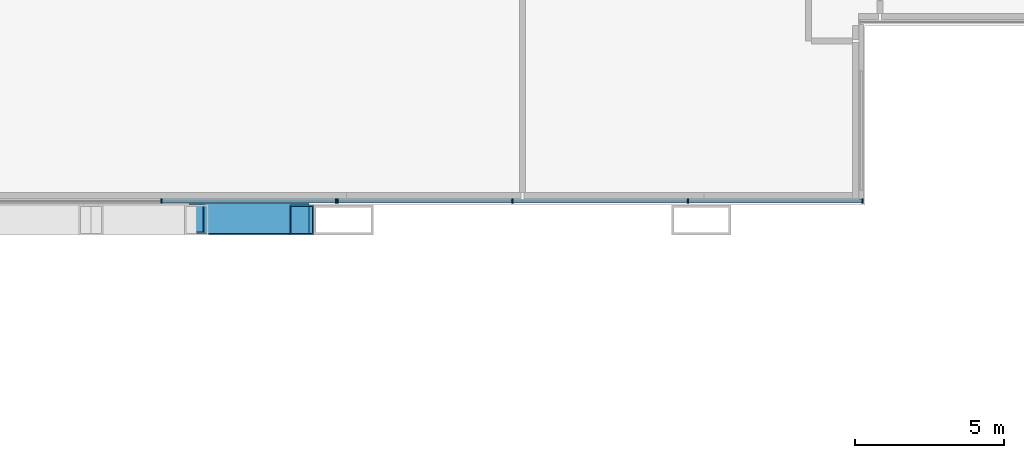
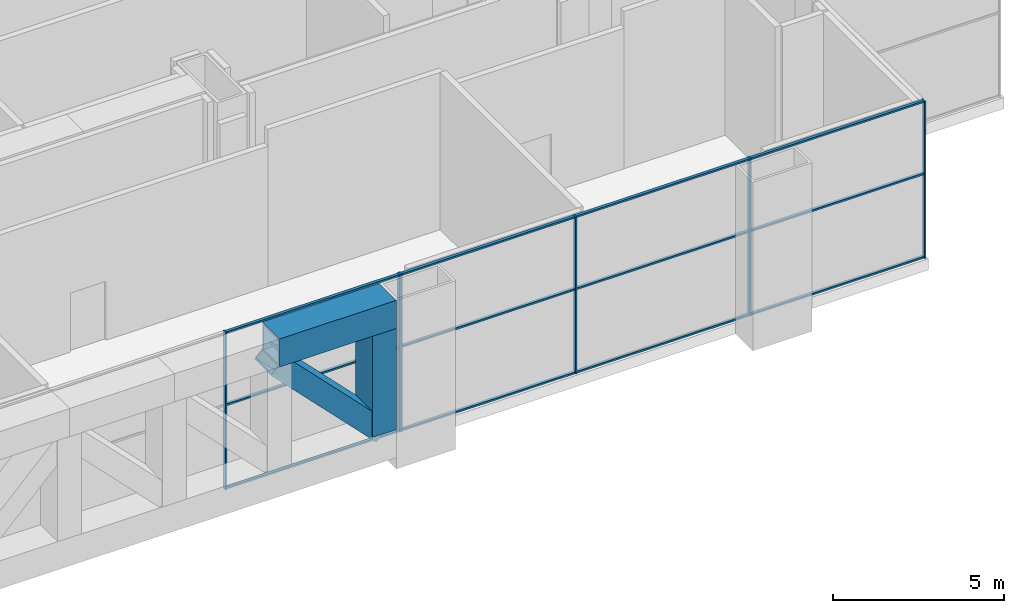
# One storey, part 9 of 27: 20 members, 1 beam, 2 elements without a shape of their own.
"""IFC4 building model written with IfcOpenShell, lengths in metres."""

import ifcopenshell
import ifcopenshell.guid

model = None  # the IFC model being written
_history = None  # IfcOwnerHistory: only IFC2X3 demands one
_inside = {}  # id of a spatial element -> (the spatial element, [elements in it])
_under = {}  # id of a project, library or spatial element -> (it, [spatial elements below it])
_declared = {}  # id of a project -> (the project, [libraries it declares])
_typed = {}  # id of a type object -> (the type object, [elements of that type])
_made_of = {}  # id of a material, layer set ... -> (it, [elements and type objects made of it])


def new_model(schema):
    """Start an empty IFC model of exactly this schema.

    Asked for "IFC4X3", IfcOpenShell would pick the latest addendum, in which some entities
    have other attributes; the version numbers below select the first issue.
    IFC2X3 requires an IfcOwnerHistory on every rooted entity: one is made here for all.
    """
    global model, _history
    if schema == "IFC4X3":
        model = ifcopenshell.file(schema_version=(4, 3, 0, 0))
    else:
        model = ifcopenshell.file(schema=schema)
    _inside.clear()
    _under.clear()
    _declared.clear()
    _typed.clear()
    _made_of.clear()
    _history = None
    if model.schema == "IFC2X3":
        org = make("IfcOrganization", Name="unknown")
        user = make(
            "IfcPersonAndOrganization",
            ThePerson=make("IfcPerson", FamilyName="unknown"),
            TheOrganization=org,
        )
        app = make(
            "IfcApplication",
            ApplicationDeveloper=org,
            Version="unknown",
            ApplicationFullName="unknown",
            ApplicationIdentifier="unknown",
        )
        _history = make(
            "IfcOwnerHistory",
            OwningUser=user,
            OwningApplication=app,
            ChangeAction="ADDED",
            CreationDate=0,
        )
    return model


def make(cls, **values):
    """One entity of the class cls with the attributes given. An attribute that is None is left unset."""
    return model.create_entity(
        cls, **{name: value for name, value in values.items() if value is not None}
    )


def rooted(cls, **values):
    """An entity with a GlobalId (a new one), such as an element, a storey or a relation."""
    return make(cls, GlobalId=ifcopenshell.guid.new(), OwnerHistory=_history, **values)


def si_unit(unit_type, name, prefix=None):
    """IfcSIUnit, for example si_unit("LENGTHUNIT", "METRE", prefix="MILLI")."""
    return make("IfcSIUnit", UnitType=unit_type, Prefix=prefix, Name=name)


def assignment(units):
    """IfcUnitAssignment: the units of a project."""
    return None if units is None else make("IfcUnitAssignment", Units=units)


def point(xyz):
    """IfcCartesianPoint."""
    return None if xyz is None else make("IfcCartesianPoint", Coordinates=xyz)


def direction(xyz):
    """IfcDirection."""
    return None if xyz is None else make("IfcDirection", DirectionRatios=xyz)


def frame(location, z_axis=None, x_axis=None):
    """IfcAxis2Placement3D, a coordinate frame: its origin and axes. An axis left out is left unset."""
    return make(
        "IfcAxis2Placement3D",
        Location=point(location),
        Axis=direction(z_axis),
        RefDirection=direction(x_axis),
    )


def frame_2d(location, x_axis=None):
    """IfcAxis2Placement2D, a coordinate frame in the plane: its origin and x axis."""
    return make(
        "IfcAxis2Placement2D", Location=point(location), RefDirection=direction(x_axis)
    )


def origin():
    """The frame at (0, 0, 0) with its axes left unset."""
    return frame((0.0, 0.0, 0.0))


def origin_2d():
    """The frame at (0, 0) in the plane with its x axis left unset."""
    return frame_2d((0.0, 0.0))


def place(relative_to, where):
    """IfcLocalPlacement: puts the frame where relative to a parent placement (None: the world)."""
    return make(
        "IfcLocalPlacement", PlacementRelTo=relative_to, RelativePlacement=where
    )


def context(
    kind, dimensions, precision=None, world=None, true_north=None, identifier=None
):
    """IfcGeometricRepresentationContext, for example the 3D "Model" context."""
    return make(
        "IfcGeometricRepresentationContext",
        ContextIdentifier=identifier,
        ContextType=kind,
        CoordinateSpaceDimension=dimensions,
        Precision=precision,
        WorldCoordinateSystem=world,
        TrueNorth=true_north,
    )


def subcontext(parent, identifier, kind, view, scale=None):
    """IfcGeometricRepresentationSubContext, for example "Body" below "Model"."""
    return make(
        "IfcGeometricRepresentationSubContext",
        ContextIdentifier=identifier,
        ContextType=kind,
        ParentContext=parent,
        TargetScale=scale,
        TargetView=view,
    )


def project(units=None, contexts=None):
    """IfcProject with its units and contexts."""
    return rooted(
        "IfcProject",
        Name="project",
        RepresentationContexts=contexts,
        UnitsInContext=assignment(units),
    )


def spatial(cls, under=None, at=None, **own):
    """A site, building, storey or space (cls), placed at a placement, below another one or the project."""
    s = rooted(cls, ObjectPlacement=at, **own)
    if under is not None:
        _under.setdefault(under.id(), (under, []))[1].append(s)
    return s


def profile(cls, at=None, kind="AREA", **sizes):
    """A parametric profile (cls). Its sizes go by their IFC names, for example OverallWidth=200.0."""
    return make(cls, ProfileType=kind, Position=at, **sizes)


def rectangle(**sizes):
    """IfcRectangleProfileDef."""
    return profile("IfcRectangleProfileDef", **sizes)


def hollow_rectangle(**sizes):
    """IfcRectangleHollowProfileDef."""
    return profile("IfcRectangleHollowProfileDef", **sizes)


def extrude(swept, where, along, depth):
    """IfcExtrudedAreaSolid: the profile swept, set in the frame where, extruded along a direction by depth."""
    return make(
        "IfcExtrudedAreaSolid",
        SweptArea=swept,
        Position=where,
        ExtrudedDirection=direction(along),
        Depth=depth,
    )


def shape(context_of_items, identifier, shape_type, items):
    """IfcShapeRepresentation: the items that make up one representation, for example the "Body"."""
    return make(
        "IfcShapeRepresentation",
        ContextOfItems=context_of_items,
        RepresentationIdentifier=identifier,
        RepresentationType=shape_type,
        Items=items,
    )


def material(Name=None, Category=None):
    """IfcMaterial."""
    return make("IfcMaterial", Name=Name, Category=Category)


def material_profile(
    of_material, cross_section, Name=None, Category=None, Priority=None
):
    """IfcMaterialProfile: a cross section and its material."""
    return make(
        "IfcMaterialProfile",
        Name=Name,
        Material=of_material,
        Profile=cross_section,
        Priority=Priority,
        Category=Category,
    )


def profile_set(profiles, Name=None, composite=None):
    """IfcMaterialProfileSet."""
    return make(
        "IfcMaterialProfileSet",
        Name=Name,
        MaterialProfiles=profiles,
        CompositeProfile=composite,
    )


def made_of(thing, what):
    """Note that an element or type object is made of a material, layer set ...; save() writes the relation."""
    if what is not None:
        _made_of.setdefault(what.id(), (what, []))[1].append(thing)
    return thing


def type_object(cls, material=None, **own):
    """A type object (cls), such as IfcWallType, which elements share."""
    return made_of(rooted(cls, **own), material)


def element(
    cls,
    number,
    at=None,
    inside=None,
    cuts=None,
    type_object=None,
    material=None,
    context=None,
    identifier="Body",
    shape_type=None,
    held_by="IfcProductDefinitionShape",
    body=None,
    shapes=None,
    **own,
):
    """One element of the class cls, such as IfcWall. Its Tag is "e" and its number.

    at: its placement. inside: the storey or other place that contains it. cuts: it is an
    opening in that element (IfcRelVoidsElement). A single representation is given by context,
    identifier, shape_type and body (its items); several are given by shapes. held_by: the class
    of the entity that holds the representations. save() writes the other relations.
    """
    e = rooted(cls, Tag="e%d" % number, ObjectPlacement=at, **own)
    if body is not None:
        shapes = [shape(context, identifier, shape_type, body)]
    if shapes is not None:
        e.Representation = make(held_by, Representations=shapes)
    if inside is not None:
        _inside.setdefault(inside.id(), (inside, []))[1].append(e)
    if cuts is not None:
        rooted(
            "IfcRelVoidsElement", RelatingBuildingElement=cuts, RelatedOpeningElement=e
        )
    if type_object is not None:
        _typed.setdefault(type_object.id(), (type_object, []))[1].append(e)
    return made_of(e, material)


def aggregate(whole, parts):
    """IfcRelAggregates: a whole, such as a stair, and the parts it consists of."""
    return rooted("IfcRelAggregates", RelatingObject=whole, RelatedObjects=parts)


def save(model, path):
    """Write the relations noted so far, then the file.

    IfcRelAggregates (storeys below a building ...), IfcRelContainedInSpatialStructure (elements
    in a storey), IfcRelDefinesByType, IfcRelAssociatesMaterial and IfcRelDeclares: one each for
    every whole, place, type object, material and project.
    """
    for whole, parts in _under.values():
        aggregate(whole, parts)
    for where, things in _inside.values():
        rooted(
            "IfcRelContainedInSpatialStructure",
            RelatedElements=things,
            RelatingStructure=where,
        )
    for kind, things in _typed.values():
        rooted("IfcRelDefinesByType", RelatedObjects=things, RelatingType=kind)
    for what, things in _made_of.values():
        rooted("IfcRelAssociatesMaterial", RelatedObjects=things, RelatingMaterial=what)
    for by, libraries in _declared.values():
        rooted("IfcRelDeclares", RelatingContext=by, RelatedDefinitions=libraries)
    model.write(path)


model = new_model("IFC4")

# Units and contexts
model_context = context("Model", 3, precision=1e-05, world=origin(), true_north=direction((0.0, 1.0)))
body_context = subcontext(model_context, "Body", "Model", "MODEL_VIEW")
ifc_project = project(units=[si_unit("LENGTHUNIT", "METRE"), si_unit("AREAUNIT", "SQUARE_METRE"), si_unit("VOLUMEUNIT", "CUBIC_METRE"), si_unit("PLANEANGLEUNIT", "RADIAN"), si_unit("MASSUNIT", "GRAM", prefix="KILO")], contexts=[model_context])

# Site, building, storey
site_placement = place(None, origin())
site = spatial("IfcSite", under=ifc_project, at=site_placement, CompositionType="ELEMENT")
building_placement = place(site_placement, origin())
building = spatial("IfcBuilding", under=site, at=building_placement, Name="Kitamizu Gate Tower and Museum", CompositionType="ELEMENT")
storey_placement = place(building_placement, frame((0.0, 0.0, 24.0)))
storey = spatial("IfcBuildingStorey", under=building, at=storey_placement, Name="L04", CompositionType="ELEMENT", Elevation=24.0)

# Curtain wall, members
ifc_material_1 = material(Name="Bronze anodised aluminium frame, insulated panels", Category="aluminium")
curtain_wall_type_1 = type_object("IfcCurtainWallType", Name="CURTAIN WALL TYPE F TRANSFER STOREY INSULATED", PredefinedType="NOTDEFINED", material=ifc_material_1)
curtain_wall_1_placement = place(storey_placement, origin())
curtain_wall_1 = element("IfcCurtainWall", 1, at=curtain_wall_1_placement, inside=storey, type_object=curtain_wall_type_1, Name="Curtain wall CW-FI south L04 part 2", PredefinedType="NOTDEFINED")
ifc_material_2 = material(Name="Bronze anodised aluminium", Category="aluminium")
ifc_material_profile_1 = material_profile(ifc_material_2, rectangle(XDim=0.050048828125, YDim=0.14990234375, at=origin_2d()), Name="AL 50X150")
ifc_profile_set_1 = profile_set([ifc_material_profile_1], Name="Bronze anodised aluminium")
member_type_1 = type_object("IfcMemberType", Name="MULLION 50 X 150 TYPE F", PredefinedType="MULLION", material=ifc_profile_set_1)
member_1_placement = place(storey_placement, frame((41.887939453125, 0.635009765625, 0.0), z_axis=(0.0, 0.0, 1.0), x_axis=(1.0, 0.0, 0.0)))
member_1 = element("IfcMember", 2, at=member_1_placement, type_object=member_type_1, Name="CW-FI mullion 4", PredefinedType="MULLION", context=body_context, shape_type="SweptSolid", body=[
    extrude(rectangle(XDim=0.050048828125, YDim=0.14990234375, at=origin_2d()), origin(), (0.0, 0.0, 1.0), 5.60009765625),
])
member_2_placement = place(storey_placement, frame((47.7509765625, 0.635009765625, 0.0), z_axis=(0.0, 0.0, 1.0), x_axis=(1.0, 0.0, 0.0)))
member_2 = element("IfcMember", 3, at=member_2_placement, type_object=member_type_1, Name="CW-FI mullion 5", PredefinedType="MULLION", context=body_context, shape_type="SweptSolid", body=[
    extrude(rectangle(XDim=0.050048828125, YDim=0.14990234375, at=origin_2d()), origin(), (0.0, 0.0, 1.0), 5.60009765625),
])

ifc_material_3 = material(Name="Bronze anodised aluminium frame, tinted triple glazing", Category="aluminium")
curtain_wall_type_2 = type_object("IfcCurtainWallType", Name="CURTAIN WALL TYPE F TRANSFER STOREY", PredefinedType="NOTDEFINED", material=ifc_material_3)
curtain_wall_2_placement = place(storey_placement, origin())
curtain_wall_2 = element("IfcCurtainWall", 4, at=curtain_wall_2_placement, inside=storey, type_object=curtain_wall_type_2, Name="Curtain wall CW-F south L04 part 3", PredefinedType="NOTDEFINED")
member_3_placement = place(storey_placement, frame((47.801025390625, 0.635009765625, 0.0), z_axis=(0.0, 0.0, 1.0), x_axis=(1.0, 0.0, 0.0)))
member_3 = element("IfcMember", 5, at=member_3_placement, type_object=member_type_1, Name="CW-F mullion 1", PredefinedType="MULLION", context=body_context, shape_type="SweptSolid", body=[
    extrude(rectangle(XDim=0.050048828125, YDim=0.14990234375, at=origin_2d()), origin(), (0.0, 0.0, 1.0), 5.60009765625),
])
member_4_placement = place(storey_placement, frame((53.6640625, 0.635009765625, 0.0), z_axis=(0.0, 0.0, 1.0), x_axis=(1.0, 0.0, 0.0)))
member_4 = element("IfcMember", 6, at=member_4_placement, type_object=member_type_1, Name="CW-F mullion 2", PredefinedType="MULLION", context=body_context, shape_type="SweptSolid", body=[
    extrude(rectangle(XDim=0.050048828125, YDim=0.14990234375, at=origin_2d()), origin(), (0.0, 0.0, 1.0), 5.60009765625),
])
member_5_placement = place(storey_placement, frame((59.552001953125, 0.635009765625, 0.0), z_axis=(0.0, 0.0, 1.0), x_axis=(1.0, 0.0, 0.0)))
member_5 = element("IfcMember", 7, at=member_5_placement, type_object=member_type_1, Name="CW-F mullion 3", PredefinedType="MULLION", context=body_context, shape_type="SweptSolid", body=[
    extrude(rectangle(XDim=0.050048828125, YDim=0.14990234375, at=origin_2d()), origin(), (0.0, 0.0, 1.0), 5.60009765625),
])
member_6_placement = place(storey_placement, frame((65.4150390625, 0.635009765625, 0.0), z_axis=(0.0, 0.0, 1.0), x_axis=(1.0, 0.0, 0.0)))
member_6 = element("IfcMember", 8, at=member_6_placement, type_object=member_type_1, Name="CW-F mullion 4", PredefinedType="MULLION", context=body_context, shape_type="SweptSolid", body=[
    extrude(rectangle(XDim=0.050048828125, YDim=0.14990234375, at=origin_2d()), origin(), (0.0, 0.0, 1.0), 5.60009765625),
])

# Member
ifc_material_4 = material(Name="Bronze anodised aluminium", Category="aluminium")
ifc_material_profile_2 = material_profile(ifc_material_4, rectangle(XDim=0.10009765625, YDim=0.06005859375, at=origin_2d()), Name="AL 60X100")
ifc_profile_set_2 = profile_set([ifc_material_profile_2], Name="Bronze anodised aluminium")
member_type_2 = type_object("IfcMemberType", Name="TRANSOM 60 X 100 TYPE F", PredefinedType="USERDEFINED", material=ifc_profile_set_2)
member_7_placement = place(storey_placement, frame((41.9130859375, 0.635009765625, 0.030029296875), z_axis=(1.0, 0.0, 0.0), x_axis=(0.0, 1.0, 0.0)))
member_7 = element("IfcMember", 9, at=member_7_placement, type_object=member_type_2, Name="CW-FI transom 4.1", ObjectType="TRANSOM", PredefinedType="USERDEFINED", context=body_context, shape_type="SweptSolid", body=[
    extrude(rectangle(XDim=0.10009765625, YDim=0.06005859375, at=origin_2d()), origin(), (0.0, 0.0, 1.0), 5.81298828125),
])

member_8_placement = place(storey_placement, frame((41.9130859375, 0.635009765625, 3.0), z_axis=(1.0, 0.0, 0.0), x_axis=(0.0, 1.0, 0.0)))
member_8 = element("IfcMember", 10, at=member_8_placement, type_object=member_type_2, Name="CW-FI transom 4.2", ObjectType="TRANSOM", PredefinedType="USERDEFINED", context=body_context, shape_type="SweptSolid", body=[
    extrude(rectangle(XDim=0.10009765625, YDim=0.06005859375, at=origin_2d()), origin(), (0.0, 0.0, 1.0), 5.81298828125),
])

member_9_placement = place(storey_placement, frame((41.9130859375, 0.635009765625, 5.570068359375), z_axis=(1.0, 0.0, 0.0), x_axis=(0.0, 1.0, 0.0)))
member_9 = element("IfcMember", 11, at=member_9_placement, type_object=member_type_2, Name="CW-FI transom 4.3", ObjectType="TRANSOM", PredefinedType="USERDEFINED", context=body_context, shape_type="SweptSolid", body=[
    extrude(rectangle(XDim=0.10009765625, YDim=0.06005859375, at=origin_2d()), origin(), (0.0, 0.0, 1.0), 5.81298828125),
])

aggregate(curtain_wall_1, [member_1, member_2, member_7, member_8, member_9])

member_10_placement = place(storey_placement, frame((47.825927734375, 0.635009765625, 0.030029296875), z_axis=(1.0, 0.0, 0.0), x_axis=(0.0, 1.0, 0.0)))
member_10 = element("IfcMember", 12, at=member_10_placement, type_object=member_type_2, Name="CW-F transom 1.1", ObjectType="TRANSOM", PredefinedType="USERDEFINED", context=body_context, shape_type="SweptSolid", body=[
    extrude(rectangle(XDim=0.10009765625, YDim=0.06005859375, at=origin_2d()), origin(), (0.0, 0.0, 1.0), 5.81298828125),
])

member_11_placement = place(storey_placement, frame((47.825927734375, 0.635009765625, 3.0), z_axis=(1.0, 0.0, 0.0), x_axis=(0.0, 1.0, 0.0)))
member_11 = element("IfcMember", 13, at=member_11_placement, type_object=member_type_2, Name="CW-F transom 1.2", ObjectType="TRANSOM", PredefinedType="USERDEFINED", context=body_context, shape_type="SweptSolid", body=[
    extrude(rectangle(XDim=0.10009765625, YDim=0.06005859375, at=origin_2d()), origin(), (0.0, 0.0, 1.0), 5.81298828125),
])

member_12_placement = place(storey_placement, frame((47.825927734375, 0.635009765625, 5.570068359375), z_axis=(1.0, 0.0, 0.0), x_axis=(0.0, 1.0, 0.0)))
member_12 = element("IfcMember", 14, at=member_12_placement, type_object=member_type_2, Name="CW-F transom 1.3", ObjectType="TRANSOM", PredefinedType="USERDEFINED", context=body_context, shape_type="SweptSolid", body=[
    extrude(rectangle(XDim=0.10009765625, YDim=0.06005859375, at=origin_2d()), origin(), (0.0, 0.0, 1.0), 5.81298828125),
])

member_13_placement = place(storey_placement, frame((53.68896484375, 0.635009765625, 0.030029296875), z_axis=(1.0, 0.0, 0.0), x_axis=(0.0, 1.0, 0.0)))
member_13 = element("IfcMember", 15, at=member_13_placement, type_object=member_type_2, Name="CW-F transom 2.1", ObjectType="TRANSOM", PredefinedType="USERDEFINED", context=body_context, shape_type="SweptSolid", body=[
    extrude(rectangle(XDim=0.10009765625, YDim=0.06005859375, at=origin_2d()), origin(), (0.0, 0.0, 1.0), 5.838134765625),
])

member_14_placement = place(storey_placement, frame((53.68896484375, 0.635009765625, 3.0), z_axis=(1.0, 0.0, 0.0), x_axis=(0.0, 1.0, 0.0)))
member_14 = element("IfcMember", 16, at=member_14_placement, type_object=member_type_2, Name="CW-F transom 2.2", ObjectType="TRANSOM", PredefinedType="USERDEFINED", context=body_context, shape_type="SweptSolid", body=[
    extrude(rectangle(XDim=0.10009765625, YDim=0.06005859375, at=origin_2d()), origin(), (0.0, 0.0, 1.0), 5.838134765625),
])

member_15_placement = place(storey_placement, frame((53.68896484375, 0.635009765625, 5.570068359375), z_axis=(1.0, 0.0, 0.0), x_axis=(0.0, 1.0, 0.0)))
member_15 = element("IfcMember", 17, at=member_15_placement, type_object=member_type_2, Name="CW-F transom 2.3", ObjectType="TRANSOM", PredefinedType="USERDEFINED", context=body_context, shape_type="SweptSolid", body=[
    extrude(rectangle(XDim=0.10009765625, YDim=0.06005859375, at=origin_2d()), origin(), (0.0, 0.0, 1.0), 5.838134765625),
])

member_16_placement = place(storey_placement, frame((59.576904296875, 0.635009765625, 0.030029296875), z_axis=(1.0, 0.0, 0.0), x_axis=(0.0, 1.0, 0.0)))
member_16 = element("IfcMember", 18, at=member_16_placement, type_object=member_type_2, Name="CW-F transom 3.1", ObjectType="TRANSOM", PredefinedType="USERDEFINED", context=body_context, shape_type="SweptSolid", body=[
    extrude(rectangle(XDim=0.10009765625, YDim=0.06005859375, at=origin_2d()), origin(), (0.0, 0.0, 1.0), 5.81298828125),
])

member_17_placement = place(storey_placement, frame((59.576904296875, 0.635009765625, 3.0), z_axis=(1.0, 0.0, 0.0), x_axis=(0.0, 1.0, 0.0)))
member_17 = element("IfcMember", 19, at=member_17_placement, type_object=member_type_2, Name="CW-F transom 3.2", ObjectType="TRANSOM", PredefinedType="USERDEFINED", context=body_context, shape_type="SweptSolid", body=[
    extrude(rectangle(XDim=0.10009765625, YDim=0.06005859375, at=origin_2d()), origin(), (0.0, 0.0, 1.0), 5.81298828125),
])

member_18_placement = place(storey_placement, frame((59.576904296875, 0.635009765625, 5.570068359375), z_axis=(1.0, 0.0, 0.0), x_axis=(0.0, 1.0, 0.0)))
member_18 = element("IfcMember", 20, at=member_18_placement, type_object=member_type_2, Name="CW-F transom 3.3", ObjectType="TRANSOM", PredefinedType="USERDEFINED", context=body_context, shape_type="SweptSolid", body=[
    extrude(rectangle(XDim=0.10009765625, YDim=0.06005859375, at=origin_2d()), origin(), (0.0, 0.0, 1.0), 5.81298828125),
])

aggregate(curtain_wall_2, [member_3, member_4, member_5, member_6, member_10, member_11, member_12, member_13, member_14, member_15, member_16, member_17, member_18])

# Beam
ifc_material_5 = material(Name="Steel SM490A", Category="steel")
ifc_material_profile_3 = material_profile(ifc_material_5, hollow_rectangle(XDim=1.0, YDim=1.0, WallThickness=0.070068359375, at=origin_2d()), Name="BOX 1000x1000x70")
ifc_profile_set_3 = profile_set([ifc_material_profile_3], Name="Steel SM490A")
beam_type = type_object("IfcBeamType", Name="Transfer truss chord TTB1 BOX 1000x1000x70", PredefinedType="BEAM", material=ifc_profile_set_3)
beam_placement = place(storey_placement, frame((43.066650390625, 0.0, 5.10009765625), z_axis=(1.0, 0.0, 0.0), x_axis=(0.0, 1.0, 0.0)))
element("IfcBeam", 21, at=beam_placement, inside=storey, type_object=beam_type, Name="Transfer truss top chord y00-6", PredefinedType="BEAM", context=body_context, shape_type="SweptSolid", body=[
    extrude(hollow_rectangle(XDim=1.0, YDim=1.0, WallThickness=0.070068359375, at=origin_2d()), origin(), (0.0, 0.0, 1.0), 3.933349609375),
])

# Members
ifc_material_6 = material(Name="Steel SM490A", Category="steel")
ifc_material_profile_4 = material_profile(ifc_material_6, hollow_rectangle(XDim=1.0, YDim=0.699951171875, WallThickness=0.044921875, at=origin_2d()), Name="BOX 1000x700x45")
ifc_profile_set_4 = profile_set([ifc_material_profile_4], Name="Steel SM490A")
member_type_3 = type_object("IfcMemberType", Name="Transfer truss diagonal TTB2 BOX 1000x700x45", PredefinedType="BRACE", material=ifc_profile_set_4)
member_19_placement = place(storey_placement, frame((46.60009765625, 0.044921875, 1.0), z_axis=(-0.700469542515, 0.0, 0.71368229627), x_axis=(0.0, -1.0, 0.0)))
element("IfcMember", 22, at=member_19_placement, inside=storey, type_object=member_type_3, Name="Transfer truss diagonal y00-6", PredefinedType="BRACE", context=body_context, shape_type="SweptSolid", body=[
    extrude(hollow_rectangle(XDim=1.0, YDim=0.699951171875, WallThickness=0.044921875, at=origin_2d()), origin(), (0.0, 0.0, 1.0), 5.04443359375),
])
ifc_material_7 = material(Name="Steel SM490A", Category="steel")
ifc_material_profile_5 = material_profile(ifc_material_7, hollow_rectangle(XDim=0.800048828125, YDim=1.0, WallThickness=0.044921875, at=origin_2d()), Name="BOX 800x1000x45")
ifc_profile_set_5 = profile_set([ifc_material_profile_5], Name="Steel SM490A")
member_type_4 = type_object("IfcMemberType", Name="Transfer truss post TTB3 BOX 800x1000x45", PredefinedType="POST", material=ifc_profile_set_5)
member_20_placement = place(storey_placement, frame((46.60009765625, 0.0, 1.0), z_axis=(0.0, 0.0, 1.0), x_axis=(1.0, 0.0, 0.0)))
element("IfcMember", 23, at=member_20_placement, inside=storey, type_object=member_type_4, Name="Transfer truss post y00-7", PredefinedType="POST", context=body_context, shape_type="SweptSolid", body=[
    extrude(hollow_rectangle(XDim=0.800048828125, YDim=1.0, WallThickness=0.044921875, at=origin_2d()), origin(), (0.0, 0.0, 1.0), 3.60009765625),
])

save(model, "model.ifc")
